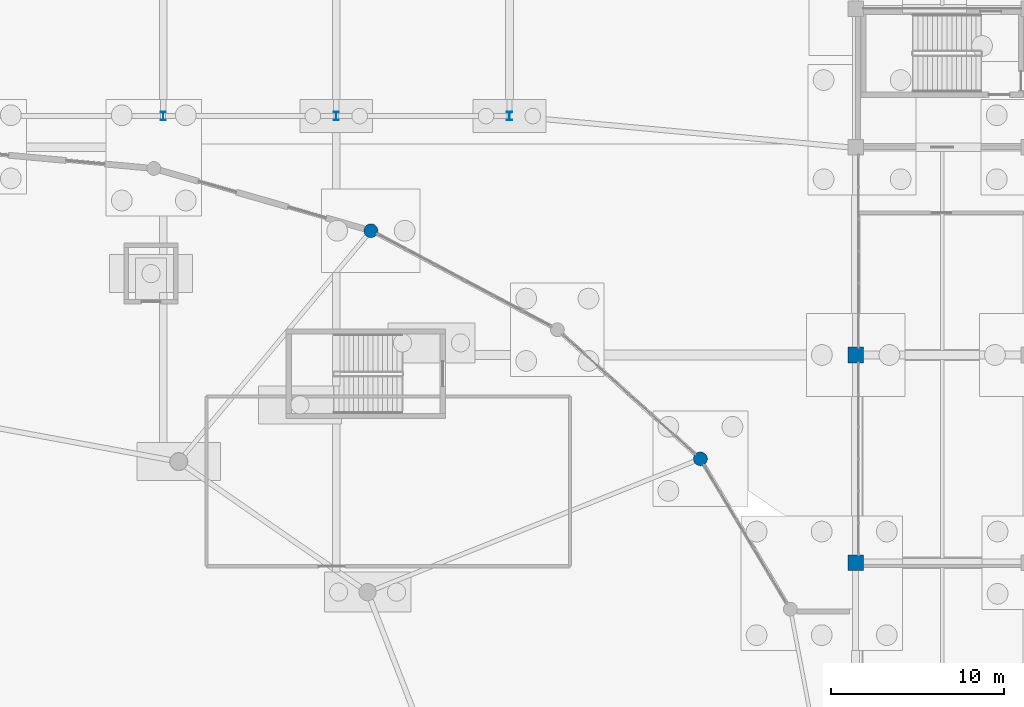
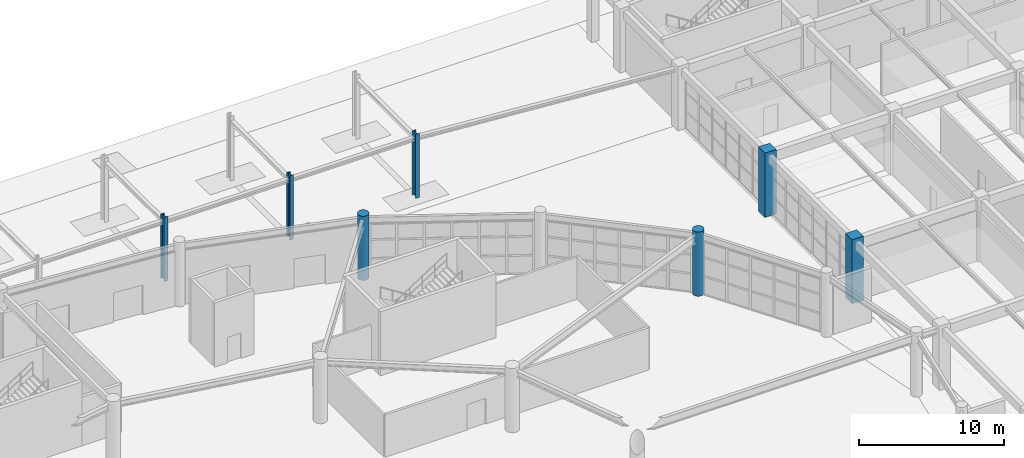
# One storey, part 20 of 99: 7 columns.
"""IFC4 building model written with IfcOpenShell, lengths in metres."""

from ifc_helpers import new_model, si_unit, direction, frame, origin, origin_2d, place, context, subcontext, project, spatial, rectangle, circle, i_section, extrude, material, material_profile, profile_set, type_object, element, save


model = new_model("IFC4")

# Units and contexts
model_context = context("Model", 3, precision=1e-05, world=origin(), true_north=direction((0.0, 1.0)))
body_context = subcontext(model_context, "Body", "Model", "MODEL_VIEW")
ifc_project = project(units=[si_unit("LENGTHUNIT", "METRE"), si_unit("AREAUNIT", "SQUARE_METRE"), si_unit("VOLUMEUNIT", "CUBIC_METRE"), si_unit("PLANEANGLEUNIT", "RADIAN"), si_unit("MASSUNIT", "GRAM", prefix="KILO")], contexts=[model_context])

# Site, building, storey
site_placement = place(None, origin())
site = spatial("IfcSite", under=ifc_project, at=site_placement, CompositionType="ELEMENT")
building_placement = place(site_placement, origin())
building = spatial("IfcBuilding", under=site, at=building_placement, Name="Kivolera Central Railway Station", CompositionType="ELEMENT")
storey_placement = place(building_placement, origin())
storey = spatial("IfcBuildingStorey", under=building, at=storey_placement, Name="L00", CompositionType="ELEMENT", Elevation=0.0)

# Columns
ifc_material_1 = material(Name="Concrete C40/50", Category="concrete")
ifc_material_profile_1 = material_profile(ifc_material_1, rectangle(XDim=0.89990234375, YDim=0.89990234375, at=origin_2d()), Name="RC 900x900")
ifc_profile_set_1 = profile_set([ifc_material_profile_1], Name="Concrete C40/50")
column_type_1 = type_object("IfcColumnType", Name="COL-RC-900", PredefinedType="COLUMN", material=ifc_profile_set_1)
for number, where, z_axis, x_axis, name in (
    (1, (118.0, 102.0, 0.0), (0.0, 0.0, 1.0), (1.0, 0.0, 0.0), "L00 Wing Column 12-J"),
    (2, (118.0, 114.0, 0.0), (0.0, 0.0, 1.0), (1.0, 0.0, 0.0), "L00 Wing Column 12-K"),
):
    element("IfcColumn", number, at=place(storey_placement, frame(where, z_axis=z_axis, x_axis=x_axis)), inside=storey, type_object=column_type_1, Name=name, PredefinedType="COLUMN", context=body_context, shape_type="SweptSolid", body=[
        extrude(rectangle(XDim=0.89990234375, YDim=0.89990234375, at=origin_2d()), origin(), (0.0, 0.0, 1.0), 5.39990234375),
    ])
ifc_material_profile_2 = material_profile(ifc_material_1, circle(Radius=0.39990234375, at=origin_2d()), Name="RC D800")
ifc_profile_set_2 = profile_set([ifc_material_profile_2], Name="Concrete C40/50")
column_type_2 = type_object("IfcColumnType", Name="COL-RC-D800", PredefinedType="COLUMN", material=ifc_profile_set_2)
for number, where, z_axis, x_axis, name in (
    (3, (109.032958984375, 108.0, 0.0), (0.0, 0.0, 1.0), (1.0, 0.0, 0.0), "L00 Oval Drum Perimeter Column P03"),
    (4, (90.0, 121.177001953125, 0.0), (0.0, 0.0, 1.0), (1.0, 0.0, 0.0), "L00 Oval Drum Perimeter Column P05"),
):
    element("IfcColumn", number, at=place(storey_placement, frame(where, z_axis=z_axis, x_axis=x_axis)), inside=storey, type_object=column_type_2, Name=name, PredefinedType="COLUMN", context=body_context, shape_type="SweptSolid", body=[
        extrude(circle(Radius=0.39990234375, at=origin_2d()), origin(), (0.0, 0.0, 1.0), 5.39990234375),
    ])
ifc_material_2 = material(Name="Steel S355", Category="steel")
ifc_material_profile_3 = material_profile(ifc_material_2, i_section(OverallWidth=0.300048828125, OverallDepth=0.5, WebThickness=0.014404296875, FlangeThickness=0.028076171875, FilletRadius=0.027099609375, at=origin_2d()), Name="HEB 500")
ifc_profile_set_3 = profile_set([ifc_material_profile_3], Name="Steel S355")
column_type_3 = type_object("IfcColumnType", Name="COL-STL-HEB500", PredefinedType="COLUMN", material=ifc_profile_set_3)
for number, where, z_axis, x_axis, name in (
    (5, (78.0, 127.800048828125, 0.0), (0.0, 0.0, 1.0), (1.0, 0.0, 0.0), "L00 Forecourt Canopy Pier 6S"),
    (6, (88.0, 127.800048828125, 0.0), (0.0, 0.0, 1.0), (1.0, 0.0, 0.0), "L00 Forecourt Canopy Pier 7S"),
    (7, (98.0, 127.800048828125, 0.0), (0.0, 0.0, 1.0), (1.0, 0.0, 0.0), "L00 Forecourt Canopy Pier 8S"),
):
    element("IfcColumn", number, at=place(storey_placement, frame(where, z_axis=z_axis, x_axis=x_axis)), inside=storey, type_object=column_type_3, Name=name, PredefinedType="COLUMN", context=body_context, shape_type="SweptSolid", body=[
        extrude(i_section(OverallWidth=0.300048828125, OverallDepth=0.5, WebThickness=0.014404296875, FlangeThickness=0.028076171875, FilletRadius=0.027099609375, at=origin_2d()), origin(), (0.0, 0.0, 1.0), 5.39990234375),
    ])

save(model, "model.ifc")
